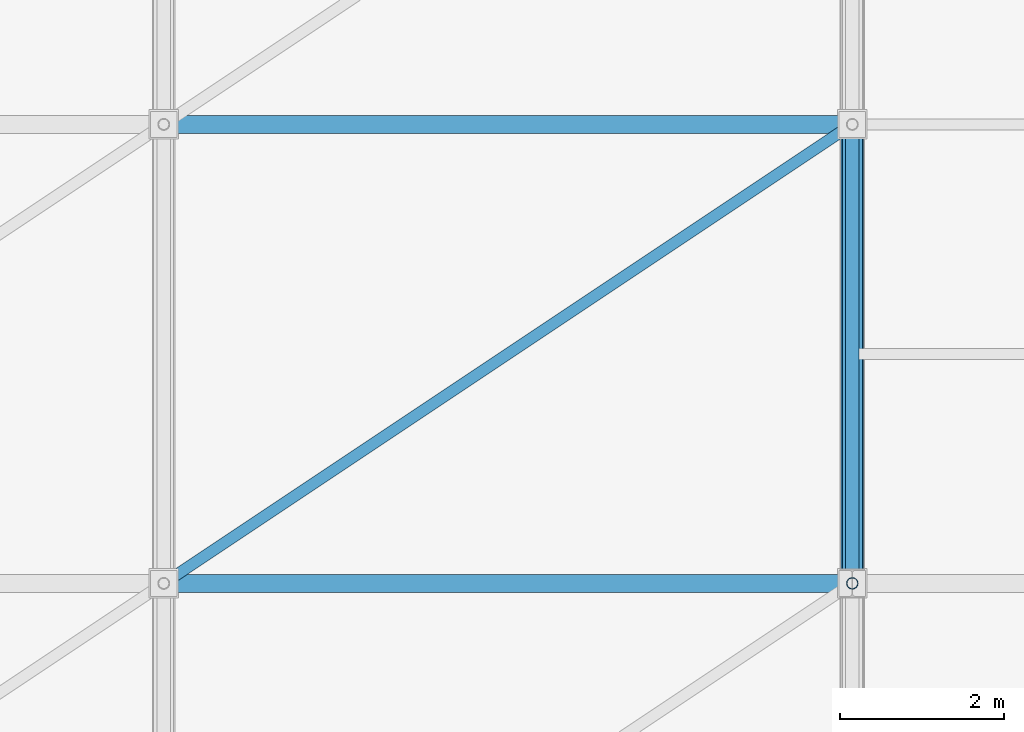
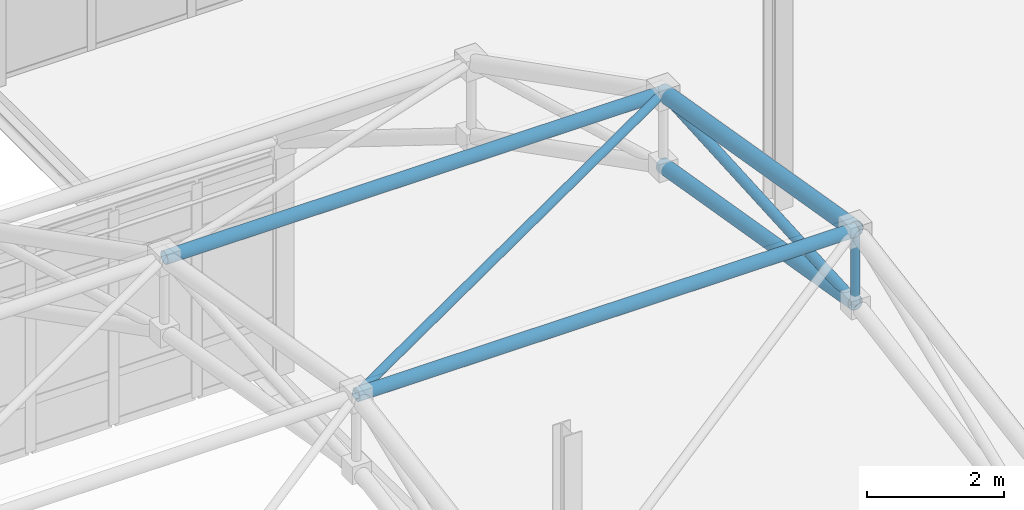
# One storey, part 89 of 184: 7 members.
"""IFC4 building model written with IfcOpenShell, lengths in metres."""

from ifc_helpers import new_model, si_unit, direction, frame, origin, origin_2d, place, context, subcontext, project, spatial, hollow_circle, extrude, material, material_profile, profile_set, type_object, element, save


model = new_model("IFC4")

# Units and contexts
model_context = context("Model", 3, precision=1e-05, world=origin(), true_north=direction((0.0, 1.0)))
body_context = subcontext(model_context, "Body", "Model", "MODEL_VIEW")
ifc_project = project(units=[si_unit("LENGTHUNIT", "METRE"), si_unit("AREAUNIT", "SQUARE_METRE"), si_unit("VOLUMEUNIT", "CUBIC_METRE"), si_unit("PLANEANGLEUNIT", "RADIAN"), si_unit("MASSUNIT", "GRAM", prefix="KILO")], contexts=[model_context])

# Site, building, storey
site_placement = place(None, origin())
site = spatial("IfcSite", under=ifc_project, at=site_placement, CompositionType="ELEMENT")
building_placement = place(site_placement, origin())
building = spatial("IfcBuilding", under=site, at=building_placement, Name="Qalvenar Corner Mobility Hub", CompositionType="ELEMENT")
storey_placement = place(building_placement, frame((0.0, 0.0, 9.0)))
storey = spatial("IfcBuildingStorey", under=building, at=storey_placement, Name="L02", CompositionType="ELEMENT", Elevation=9.0)

# Members
ifc_material = material(Name="Steel S355", Category="steel")
ifc_material_profile_1 = material_profile(ifc_material, hollow_circle(Radius=0.109619140625, WallThickness=0.008056640625, at=origin_2d()), Name="CHS219.1x8")
ifc_profile_set_1 = profile_set([ifc_material_profile_1], Name="Steel S355")
member_type_1 = type_object("IfcMemberType", Name="SF-CHD219", PredefinedType="CHORD", material=ifc_profile_set_1)
for number, where, z_axis, x_axis, name in (
    (1, (100.800048828125, 16.800048828125, 12.659912109375), (1.0, 0.0, 0.0), (0.0, 1.0, 0.0), "Space Frame Longitudinal Chord SFL-0237"),
    (2, (100.800048828125, 22.39990234375, 11.704345703125), (1.0, 0.0, 0.0), (0.0, 1.0, 0.0), "Space Frame Longitudinal Chord SFL-0238"),
):
    element("IfcMember", number, at=place(storey_placement, frame(where, z_axis=z_axis, x_axis=x_axis)), inside=storey, type_object=member_type_1, Name=name, PredefinedType="CHORD", context=body_context, shape_type="SweptSolid", body=[
        extrude(hollow_circle(Radius=0.109619140625, WallThickness=0.008056640625, at=origin_2d()), origin(), (0.0, 0.0, 1.0), 8.39990234375),
    ])
ifc_material_profile_2 = material_profile(ifc_material, hollow_circle(Radius=0.122314453125, WallThickness=0.0087890625, at=origin_2d()), Name="CHS244.5x8.8")
ifc_profile_set_2 = profile_set([ifc_material_profile_2], Name="Steel S355")
member_type_2 = type_object("IfcMemberType", Name="SF-CHD244", PredefinedType="CHORD", material=ifc_profile_set_2)
member_1_placement = place(storey_placement, frame((109.199951171875, 16.800048828125, 11.360107421875), z_axis=(0.0, 0.985744075738, -0.168251648276), x_axis=(-1.0, 0.0, 0.0)))
element("IfcMember", 3, at=member_1_placement, inside=storey, type_object=member_type_2, Name="Space Frame Bottom Chord SFBC-0157", PredefinedType="CHORD", context=body_context, shape_type="SweptSolid", body=[
    extrude(hollow_circle(Radius=0.122314453125, WallThickness=0.0087890625, at=origin_2d()), origin(), (0.0, 0.0, 1.0), 5.680908203125),
])
ifc_material_profile_3 = material_profile(ifc_material, hollow_circle(Radius=0.136474609375, WallThickness=0.010009765625, at=origin_2d()), Name="CHS273x10")
ifc_profile_set_3 = profile_set([ifc_material_profile_3], Name="Steel S355")
member_type_3 = type_object("IfcMemberType", Name="SF-CHD273", PredefinedType="CHORD", material=ifc_profile_set_3)
member_2_placement = place(storey_placement, frame((109.199951171875, 16.800048828125, 12.659912109375), z_axis=(0.0, 0.985751202632, -0.168209888264), x_axis=(-1.0, 0.0, 0.0)))
element("IfcMember", 4, at=member_2_placement, inside=storey, type_object=member_type_3, Name="Space Frame Top Chord SFTC-0156", PredefinedType="CHORD", context=body_context, shape_type="SweptSolid", body=[
    extrude(hollow_circle(Radius=0.136474609375, WallThickness=0.010009765625, at=origin_2d()), origin(), (0.0, 0.0, 1.0), 5.680908203125),
])
ifc_material_profile_4 = material_profile(ifc_material, hollow_circle(Radius=0.06982421875, WallThickness=0.0048828125, at=origin_2d()), Name="CHS139.7x5")
ifc_profile_set_4 = profile_set([ifc_material_profile_4], Name="Steel S355")
member_type_4 = type_object("IfcMemberType", Name="SF-STR139", PredefinedType="STRUT", material=ifc_profile_set_4)
member_3_placement = place(storey_placement, frame((109.199951171875, 16.800048828125, 11.360107421875), z_axis=(0.0, 0.0, 1.0), x_axis=(1.0, 0.0, 0.0)))
element("IfcMember", 5, at=member_3_placement, inside=storey, type_object=member_type_4, Name="Space Frame King Strut SFV-0166", PredefinedType="STRUT", context=body_context, shape_type="SweptSolid", body=[
    extrude(hollow_circle(Radius=0.06982421875, WallThickness=0.0048828125, at=origin_2d()), origin(), (0.0, 0.0, 1.0), 1.2998046875),
])
member_4_placement = place(storey_placement, frame((100.800048828125, 16.800048828125, 12.659912109375), z_axis=(0.828351545185, 0.552226338194, -0.094232632327), x_axis=(-0.554694615428, 0.832054014842, 0.0)))
element("IfcMember", 6, at=member_4_placement, inside=storey, type_object=member_type_4, Name="Space Frame Plan Strut SFP-0243", PredefinedType="STRUT", context=body_context, shape_type="SweptSolid", body=[
    extrude(hollow_circle(Radius=0.06982421875, WallThickness=0.0048828125, at=origin_2d()), origin(), (0.0, 0.0, 1.0), 10.140625),
])
ifc_material_profile_5 = material_profile(ifc_material, hollow_circle(Radius=0.084228515625, WallThickness=0.00634765625, at=origin_2d()), Name="CHS168.3x6.3")
ifc_profile_set_5 = profile_set([ifc_material_profile_5], Name="Steel S355")
member_type_5 = type_object("IfcMemberType", Name="SF-STR168", PredefinedType="STRUT", material=ifc_profile_set_5)
member_5_placement = place(storey_placement, frame((109.199951171875, 16.800048828125, 11.360107421875), z_axis=(0.0, 0.998115889969, 0.061356908264), x_axis=(-1.0, 0.0, 0.0)))
element("IfcMember", 7, at=member_5_placement, inside=storey, type_object=member_type_5, Name="Space Frame Web Strut SFD-0158", PredefinedType="STRUT", context=body_context, shape_type="SweptSolid", body=[
    extrude(hollow_circle(Radius=0.084228515625, WallThickness=0.00634765625, at=origin_2d()), origin(), (0.0, 0.0, 1.0), 5.6103515625),
])

save(model, "model.ifc")
